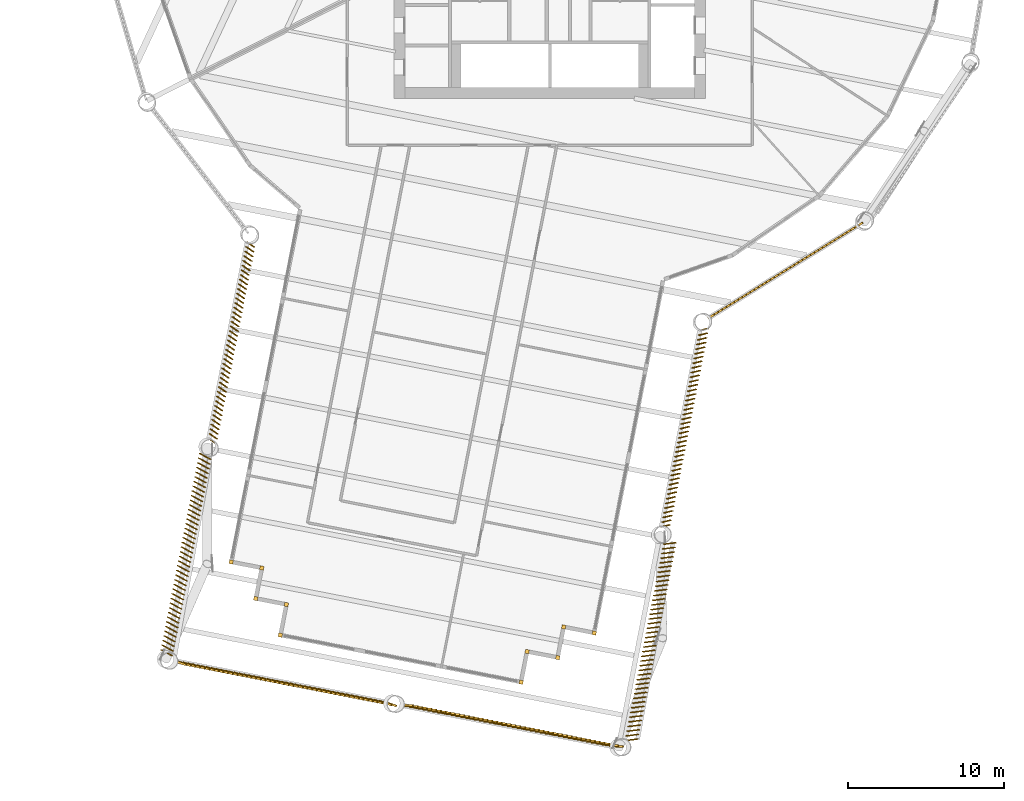
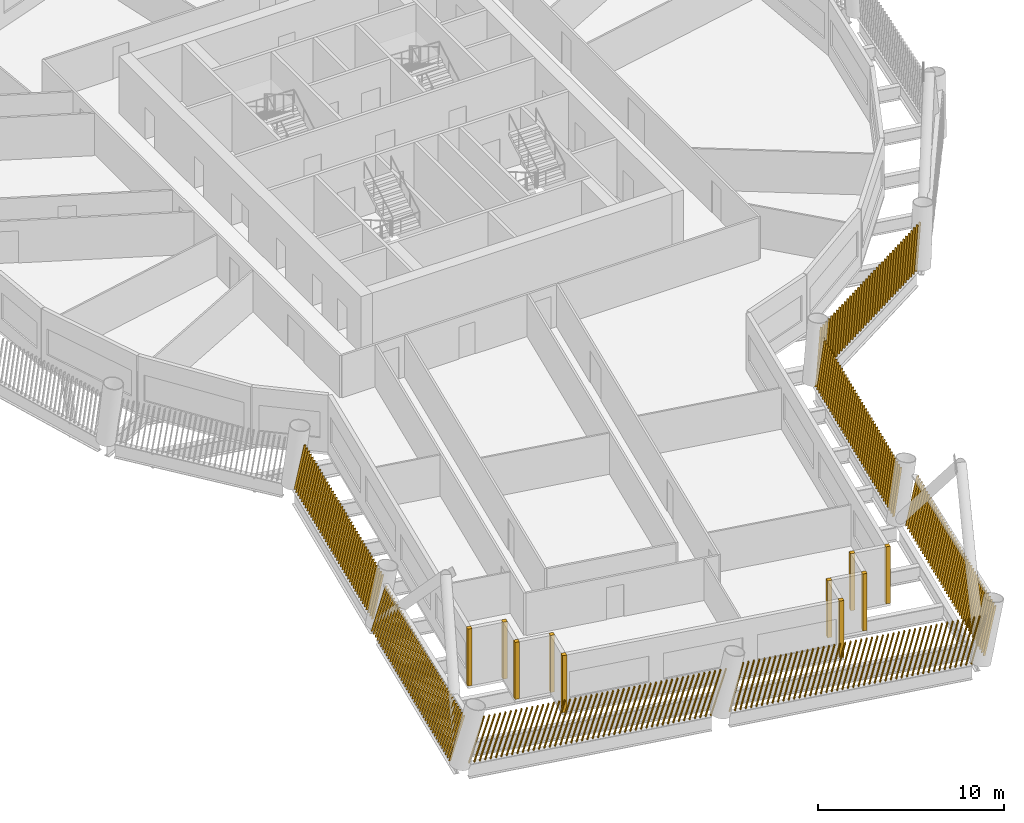
# One storey, part 20 of 24: 17 shading devices.
"""IFC4 building model written with IfcOpenShell, lengths in metres."""

from ifc_helpers import new_model, si_unit, direction, frame, frame_2d, origin, origin_2d, place, context, subcontext, project, spatial, rectangle, composite_profile, extrude, material, type_object, element, save


model = new_model("IFC4")

# Units and contexts
model_context = context("Model", 3, precision=1e-05, world=origin(), true_north=direction((0.0, 1.0)))
body_context = subcontext(model_context, "Body", "Model", "MODEL_VIEW")
ifc_project = project(units=[si_unit("LENGTHUNIT", "METRE"), si_unit("AREAUNIT", "SQUARE_METRE"), si_unit("VOLUMEUNIT", "CUBIC_METRE"), si_unit("PLANEANGLEUNIT", "RADIAN"), si_unit("MASSUNIT", "GRAM", prefix="KILO")], contexts=[model_context])

# Site, building, storey
site_placement = place(None, origin())
site = spatial("IfcSite", under=ifc_project, at=site_placement, CompositionType="ELEMENT")
building_placement = place(site_placement, origin())
building = spatial("IfcBuilding", under=site, at=building_placement, Name="Tarsis Ring Headquarters", CompositionType="ELEMENT")
storey_placement = place(building_placement, frame((0.0, 0.0, 178.800048828125)))
storey = spatial("IfcBuildingStorey", under=building, at=storey_placement, Name="L41", CompositionType="ELEMENT", Elevation=178.800048828125)

# Shading devices
ifc_material = material(Name="Terracotta baguette", Category="masonry")
shading_device_type_1 = type_object("IfcShadingDeviceType", Name="Terracotta baguette screen", PredefinedType="USERDEFINED", material=ifc_material)
shading_device_1_placement = place(storey_placement, frame((-19.416015625, -22.182861328125, 0.0), z_axis=(0.0, 0.0, 1.0), x_axis=(-0.191833181956, -0.981418407508, 0.0)))
element("IfcShadingDevice", 1, at=shading_device_1_placement, inside=storey, type_object=shading_device_type_1, Name="Baguette screen L41-01", ObjectType="Terracotta baguette screen", PredefinedType="USERDEFINED", context=body_context, shape_type="SweptSolid", body=[
    extrude(composite_profile([rectangle(XDim=0.06005859375, YDim=0.1201171875, at=frame_2d((0.030029296875, 0.0))), rectangle(XDim=0.06005859375, YDim=0.1201171875, at=frame_2d((0.335693359375, 0.0))), rectangle(XDim=0.06005859375, YDim=0.1201171875, at=frame_2d((0.6416015625, 0.0))), rectangle(XDim=0.06005859375, YDim=0.1201171875, at=frame_2d((0.947265625, 0.0))), rectangle(XDim=0.06005859375, YDim=0.1201171875, at=frame_2d((1.253173828125, 0.0))), rectangle(XDim=0.06005859375, YDim=0.1201171875, at=frame_2d((1.558837890625, 0.0))), rectangle(XDim=0.06005859375, YDim=0.1201171875, at=frame_2d((1.864501953125, 0.0))), rectangle(XDim=0.06005859375, YDim=0.1201171875, at=frame_2d((2.17041015625, 0.0))), rectangle(XDim=0.06005859375, YDim=0.1201171875, at=frame_2d((2.47607421875, 0.0))), rectangle(XDim=0.06005859375, YDim=0.1201171875, at=frame_2d((2.781982421875, 0.0))), rectangle(XDim=0.06005859375, YDim=0.1201171875, at=frame_2d((3.087646484375, 0.0))), rectangle(XDim=0.06005859375, YDim=0.1201171875, at=frame_2d((3.393310546875, 0.0))), rectangle(XDim=0.06005859375, YDim=0.1201171875, at=frame_2d((3.69921875, 0.0))), rectangle(XDim=0.06005859375, YDim=0.1201171875, at=frame_2d((4.0048828125, 0.0))), rectangle(XDim=0.06005859375, YDim=0.1201171875, at=frame_2d((4.310791015625, 0.0))), rectangle(XDim=0.06005859375, YDim=0.1201171875, at=frame_2d((4.616455078125, 0.0))), rectangle(XDim=0.06005859375, YDim=0.1201171875, at=frame_2d((4.922119140625, 0.0))), rectangle(XDim=0.06005859375, YDim=0.1201171875, at=frame_2d((5.22802734375, 0.0))), rectangle(XDim=0.06005859375, YDim=0.1201171875, at=frame_2d((5.53369140625, 0.0))), rectangle(XDim=0.06005859375, YDim=0.1201171875, at=frame_2d((5.839599609375, 0.0))), rectangle(XDim=0.06005859375, YDim=0.1201171875, at=frame_2d((6.145263671875, 0.0))), rectangle(XDim=0.06005859375, YDim=0.1201171875, at=frame_2d((6.451171875, 0.0))), rectangle(XDim=0.06005859375, YDim=0.1201171875, at=frame_2d((6.7568359375, 0.0))), rectangle(XDim=0.06005859375, YDim=0.1201171875, at=frame_2d((7.0625, 0.0))), rectangle(XDim=0.06005859375, YDim=0.1201171875, at=frame_2d((7.368408203125, 0.0))), rectangle(XDim=0.06005859375, YDim=0.1201171875, at=frame_2d((7.674072265625, 0.0))), rectangle(XDim=0.06005859375, YDim=0.1201171875, at=frame_2d((7.97998046875, 0.0))), rectangle(XDim=0.06005859375, YDim=0.1201171875, at=frame_2d((8.28564453125, 0.0))), rectangle(XDim=0.06005859375, YDim=0.1201171875, at=frame_2d((8.59130859375, 0.0))), rectangle(XDim=0.06005859375, YDim=0.1201171875, at=frame_2d((8.897216796875, 0.0))), rectangle(XDim=0.06005859375, YDim=0.1201171875, at=frame_2d((9.202880859375, 0.0))), rectangle(XDim=0.06005859375, YDim=0.1201171875, at=frame_2d((9.5087890625, 0.0))), rectangle(XDim=0.06005859375, YDim=0.1201171875, at=frame_2d((9.814453125, 0.0))), rectangle(XDim=0.06005859375, YDim=0.1201171875, at=frame_2d((10.1201171875, 0.0))), rectangle(XDim=0.06005859375, YDim=0.1201171875, at=frame_2d((10.426025390625, 0.0))), rectangle(XDim=0.06005859375, YDim=0.1201171875, at=frame_2d((10.731689453125, 0.0))), rectangle(XDim=0.06005859375, YDim=0.1201171875, at=frame_2d((11.03759765625, 0.0))), rectangle(XDim=0.06005859375, YDim=0.1201171875, at=frame_2d((11.34326171875, 0.0))), rectangle(XDim=0.06005859375, YDim=0.1201171875, at=frame_2d((11.64892578125, 0.0))), rectangle(XDim=0.06005859375, YDim=0.1201171875, at=frame_2d((11.954833984375, 0.0))), rectangle(XDim=0.06005859375, YDim=0.1201171875, at=frame_2d((12.260498046875, 0.0))), rectangle(XDim=0.06005859375, YDim=0.1201171875, at=frame_2d((12.56640625, 0.0))), rectangle(XDim=0.06005859375, YDim=0.1201171875, at=frame_2d((12.8720703125, 0.0)))]), origin(), (0.076141289254, 0.167797101649, 0.982876714929), 3.00146484375),
])
shading_device_2_placement = place(storey_placement, frame((-22.451171875, -35.7548828125, 0.0), z_axis=(0.0, 0.0, 1.0), x_axis=(-0.191833181956, -0.981418407508, 0.0)))
element("IfcShadingDevice", 2, at=shading_device_2_placement, inside=storey, type_object=shading_device_type_1, Name="Baguette screen L41-02", ObjectType="Terracotta baguette screen", PredefinedType="USERDEFINED", context=body_context, shape_type="SweptSolid", body=[
    extrude(composite_profile([rectangle(XDim=0.06005859375, YDim=0.1201171875, at=frame_2d((0.030029296875, 0.0))), rectangle(XDim=0.06005859375, YDim=0.1201171875, at=frame_2d((0.335693359375, 0.0))), rectangle(XDim=0.06005859375, YDim=0.1201171875, at=frame_2d((0.6416015625, 0.0))), rectangle(XDim=0.06005859375, YDim=0.1201171875, at=frame_2d((0.947265625, 0.0))), rectangle(XDim=0.06005859375, YDim=0.1201171875, at=frame_2d((1.253173828125, 0.0))), rectangle(XDim=0.06005859375, YDim=0.1201171875, at=frame_2d((1.558837890625, 0.0))), rectangle(XDim=0.06005859375, YDim=0.1201171875, at=frame_2d((1.864501953125, 0.0))), rectangle(XDim=0.06005859375, YDim=0.1201171875, at=frame_2d((2.17041015625, 0.0))), rectangle(XDim=0.06005859375, YDim=0.1201171875, at=frame_2d((2.47607421875, 0.0))), rectangle(XDim=0.06005859375, YDim=0.1201171875, at=frame_2d((2.781982421875, 0.0))), rectangle(XDim=0.06005859375, YDim=0.1201171875, at=frame_2d((3.087646484375, 0.0))), rectangle(XDim=0.06005859375, YDim=0.1201171875, at=frame_2d((3.393310546875, 0.0))), rectangle(XDim=0.06005859375, YDim=0.1201171875, at=frame_2d((3.69921875, 0.0))), rectangle(XDim=0.06005859375, YDim=0.1201171875, at=frame_2d((4.0048828125, 0.0))), rectangle(XDim=0.06005859375, YDim=0.1201171875, at=frame_2d((4.310791015625, 0.0))), rectangle(XDim=0.06005859375, YDim=0.1201171875, at=frame_2d((4.616455078125, 0.0))), rectangle(XDim=0.06005859375, YDim=0.1201171875, at=frame_2d((4.922119140625, 0.0))), rectangle(XDim=0.06005859375, YDim=0.1201171875, at=frame_2d((5.22802734375, 0.0))), rectangle(XDim=0.06005859375, YDim=0.1201171875, at=frame_2d((5.53369140625, 0.0))), rectangle(XDim=0.06005859375, YDim=0.1201171875, at=frame_2d((5.839599609375, 0.0))), rectangle(XDim=0.06005859375, YDim=0.1201171875, at=frame_2d((6.145263671875, 0.0))), rectangle(XDim=0.06005859375, YDim=0.1201171875, at=frame_2d((6.451171875, 0.0))), rectangle(XDim=0.06005859375, YDim=0.1201171875, at=frame_2d((6.7568359375, 0.0))), rectangle(XDim=0.06005859375, YDim=0.1201171875, at=frame_2d((7.0625, 0.0))), rectangle(XDim=0.06005859375, YDim=0.1201171875, at=frame_2d((7.368408203125, 0.0))), rectangle(XDim=0.06005859375, YDim=0.1201171875, at=frame_2d((7.674072265625, 0.0))), rectangle(XDim=0.06005859375, YDim=0.1201171875, at=frame_2d((7.97998046875, 0.0))), rectangle(XDim=0.06005859375, YDim=0.1201171875, at=frame_2d((8.28564453125, 0.0))), rectangle(XDim=0.06005859375, YDim=0.1201171875, at=frame_2d((8.59130859375, 0.0))), rectangle(XDim=0.06005859375, YDim=0.1201171875, at=frame_2d((8.897216796875, 0.0))), rectangle(XDim=0.06005859375, YDim=0.1201171875, at=frame_2d((9.202880859375, 0.0))), rectangle(XDim=0.06005859375, YDim=0.1201171875, at=frame_2d((9.5087890625, 0.0))), rectangle(XDim=0.06005859375, YDim=0.1201171875, at=frame_2d((9.814453125, 0.0))), rectangle(XDim=0.06005859375, YDim=0.1201171875, at=frame_2d((10.1201171875, 0.0))), rectangle(XDim=0.06005859375, YDim=0.1201171875, at=frame_2d((10.426025390625, 0.0))), rectangle(XDim=0.06005859375, YDim=0.1201171875, at=frame_2d((10.731689453125, 0.0))), rectangle(XDim=0.06005859375, YDim=0.1201171875, at=frame_2d((11.03759765625, 0.0))), rectangle(XDim=0.06005859375, YDim=0.1201171875, at=frame_2d((11.34326171875, 0.0))), rectangle(XDim=0.06005859375, YDim=0.1201171875, at=frame_2d((11.64892578125, 0.0))), rectangle(XDim=0.06005859375, YDim=0.1201171875, at=frame_2d((11.954833984375, 0.0))), rectangle(XDim=0.06005859375, YDim=0.1201171875, at=frame_2d((12.260498046875, 0.0))), rectangle(XDim=0.06005859375, YDim=0.1201171875, at=frame_2d((12.56640625, 0.0))), rectangle(XDim=0.06005859375, YDim=0.1201171875, at=frame_2d((12.8720703125, 0.0)))]), origin(), (0.076397492636, 0.237046970351, 0.968489626669), 3.0458984375),
])
shading_device_3_placement = place(storey_placement, frame((-24.163330078125, -49.076171875, 0.0), z_axis=(0.0, 0.0, 1.0), x_axis=(0.981424148607, -0.191826625387, 0.0)))
element("IfcShadingDevice", 3, at=shading_device_3_placement, inside=storey, type_object=shading_device_type_1, Name="Baguette screen L41-03", ObjectType="Terracotta baguette screen", PredefinedType="USERDEFINED", context=body_context, shape_type="SweptSolid", body=[
    extrude(composite_profile([rectangle(XDim=0.06005859375, YDim=0.1201171875, at=frame_2d((0.030029296875, 0.0))), rectangle(XDim=0.06005859375, YDim=0.1201171875, at=frame_2d((0.33544921875, 0.0))), rectangle(XDim=0.06005859375, YDim=0.1201171875, at=frame_2d((0.640625, 0.0))), rectangle(XDim=0.06005859375, YDim=0.1201171875, at=frame_2d((0.946044921875, 0.0))), rectangle(XDim=0.06005859375, YDim=0.1201171875, at=frame_2d((1.25146484375, 0.0))), rectangle(XDim=0.06005859375, YDim=0.1201171875, at=frame_2d((1.556640625, 0.0))), rectangle(XDim=0.06005859375, YDim=0.1201171875, at=frame_2d((1.862060546875, 0.0))), rectangle(XDim=0.06005859375, YDim=0.1201171875, at=frame_2d((2.16748046875, 0.0))), rectangle(XDim=0.06005859375, YDim=0.1201171875, at=frame_2d((2.47265625, 0.0))), rectangle(XDim=0.06005859375, YDim=0.1201171875, at=frame_2d((2.778076171875, 0.0))), rectangle(XDim=0.06005859375, YDim=0.1201171875, at=frame_2d((3.08349609375, 0.0))), rectangle(XDim=0.06005859375, YDim=0.1201171875, at=frame_2d((3.388671875, 0.0))), rectangle(XDim=0.06005859375, YDim=0.1201171875, at=frame_2d((3.694091796875, 0.0))), rectangle(XDim=0.06005859375, YDim=0.1201171875, at=frame_2d((3.99951171875, 0.0))), rectangle(XDim=0.06005859375, YDim=0.1201171875, at=frame_2d((4.3046875, 0.0))), rectangle(XDim=0.06005859375, YDim=0.1201171875, at=frame_2d((4.610107421875, 0.0))), rectangle(XDim=0.06005859375, YDim=0.1201171875, at=frame_2d((4.91552734375, 0.0))), rectangle(XDim=0.06005859375, YDim=0.1201171875, at=frame_2d((5.220703125, 0.0))), rectangle(XDim=0.06005859375, YDim=0.1201171875, at=frame_2d((5.526123046875, 0.0))), rectangle(XDim=0.06005859375, YDim=0.1201171875, at=frame_2d((5.83154296875, 0.0))), rectangle(XDim=0.06005859375, YDim=0.1201171875, at=frame_2d((6.13671875, 0.0))), rectangle(XDim=0.06005859375, YDim=0.1201171875, at=frame_2d((6.442138671875, 0.0))), rectangle(XDim=0.06005859375, YDim=0.1201171875, at=frame_2d((6.74755859375, 0.0))), rectangle(XDim=0.06005859375, YDim=0.1201171875, at=frame_2d((7.052734375, 0.0))), rectangle(XDim=0.06005859375, YDim=0.1201171875, at=frame_2d((7.358154296875, 0.0))), rectangle(XDim=0.06005859375, YDim=0.1201171875, at=frame_2d((7.66357421875, 0.0))), rectangle(XDim=0.06005859375, YDim=0.1201171875, at=frame_2d((7.96875, 0.0))), rectangle(XDim=0.06005859375, YDim=0.1201171875, at=frame_2d((8.274169921875, 0.0))), rectangle(XDim=0.06005859375, YDim=0.1201171875, at=frame_2d((8.57958984375, 0.0))), rectangle(XDim=0.06005859375, YDim=0.1201171875, at=frame_2d((8.884765625, 0.0))), rectangle(XDim=0.06005859375, YDim=0.1201171875, at=frame_2d((9.190185546875, 0.0))), rectangle(XDim=0.06005859375, YDim=0.1201171875, at=frame_2d((9.49560546875, 0.0))), rectangle(XDim=0.06005859375, YDim=0.1201171875, at=frame_2d((9.80078125, 0.0))), rectangle(XDim=0.06005859375, YDim=0.1201171875, at=frame_2d((10.106201171875, 0.0))), rectangle(XDim=0.06005859375, YDim=0.1201171875, at=frame_2d((10.41162109375, 0.0))), rectangle(XDim=0.06005859375, YDim=0.1201171875, at=frame_2d((10.716796875, 0.0))), rectangle(XDim=0.06005859375, YDim=0.1201171875, at=frame_2d((11.022216796875, 0.0))), rectangle(XDim=0.06005859375, YDim=0.1201171875, at=frame_2d((11.32763671875, 0.0))), rectangle(XDim=0.06005859375, YDim=0.1201171875, at=frame_2d((11.6328125, 0.0))), rectangle(XDim=0.06005859375, YDim=0.1201171875, at=frame_2d((11.938232421875, 0.0))), rectangle(XDim=0.06005859375, YDim=0.1201171875, at=frame_2d((12.24365234375, 0.0))), rectangle(XDim=0.06005859375, YDim=0.1201171875, at=frame_2d((12.548828125, 0.0))), rectangle(XDim=0.06005859375, YDim=0.1201171875, at=frame_2d((12.854248046875, 0.0))), rectangle(XDim=0.06005859375, YDim=0.1201171875, at=frame_2d((13.15966796875, 0.0))), rectangle(XDim=0.06005859375, YDim=0.1201171875, at=frame_2d((13.46484375, 0.0))), rectangle(XDim=0.06005859375, YDim=0.1201171875, at=frame_2d((13.770263671875, 0.0)))]), origin(), (0.270747870256, -0.035782456405, 0.961985034481), 3.06640625),
])
shading_device_4_placement = place(storey_placement, frame((-9.63818359375, -51.915283203125, 0.0), z_axis=(0.0, 0.0, 1.0), x_axis=(0.981424148607, -0.191826625387, 0.0)))
element("IfcShadingDevice", 4, at=shading_device_4_placement, inside=storey, type_object=shading_device_type_1, Name="Baguette screen L41-04", ObjectType="Terracotta baguette screen", PredefinedType="USERDEFINED", context=body_context, shape_type="SweptSolid", body=[
    extrude(composite_profile([rectangle(XDim=0.06005859375, YDim=0.1201171875, at=frame_2d((0.030029296875, 0.0))), rectangle(XDim=0.06005859375, YDim=0.1201171875, at=frame_2d((0.33544921875, 0.0))), rectangle(XDim=0.06005859375, YDim=0.1201171875, at=frame_2d((0.640625, 0.0))), rectangle(XDim=0.06005859375, YDim=0.1201171875, at=frame_2d((0.946044921875, 0.0))), rectangle(XDim=0.06005859375, YDim=0.1201171875, at=frame_2d((1.25146484375, 0.0))), rectangle(XDim=0.06005859375, YDim=0.1201171875, at=frame_2d((1.556640625, 0.0))), rectangle(XDim=0.06005859375, YDim=0.1201171875, at=frame_2d((1.862060546875, 0.0))), rectangle(XDim=0.06005859375, YDim=0.1201171875, at=frame_2d((2.16748046875, 0.0))), rectangle(XDim=0.06005859375, YDim=0.1201171875, at=frame_2d((2.47265625, 0.0))), rectangle(XDim=0.06005859375, YDim=0.1201171875, at=frame_2d((2.778076171875, 0.0))), rectangle(XDim=0.06005859375, YDim=0.1201171875, at=frame_2d((3.08349609375, 0.0))), rectangle(XDim=0.06005859375, YDim=0.1201171875, at=frame_2d((3.388671875, 0.0))), rectangle(XDim=0.06005859375, YDim=0.1201171875, at=frame_2d((3.694091796875, 0.0))), rectangle(XDim=0.06005859375, YDim=0.1201171875, at=frame_2d((3.99951171875, 0.0))), rectangle(XDim=0.06005859375, YDim=0.1201171875, at=frame_2d((4.3046875, 0.0))), rectangle(XDim=0.06005859375, YDim=0.1201171875, at=frame_2d((4.610107421875, 0.0))), rectangle(XDim=0.06005859375, YDim=0.1201171875, at=frame_2d((4.91552734375, 0.0))), rectangle(XDim=0.06005859375, YDim=0.1201171875, at=frame_2d((5.220703125, 0.0))), rectangle(XDim=0.06005859375, YDim=0.1201171875, at=frame_2d((5.526123046875, 0.0))), rectangle(XDim=0.06005859375, YDim=0.1201171875, at=frame_2d((5.83154296875, 0.0))), rectangle(XDim=0.06005859375, YDim=0.1201171875, at=frame_2d((6.13671875, 0.0))), rectangle(XDim=0.06005859375, YDim=0.1201171875, at=frame_2d((6.442138671875, 0.0))), rectangle(XDim=0.06005859375, YDim=0.1201171875, at=frame_2d((6.74755859375, 0.0))), rectangle(XDim=0.06005859375, YDim=0.1201171875, at=frame_2d((7.052734375, 0.0))), rectangle(XDim=0.06005859375, YDim=0.1201171875, at=frame_2d((7.358154296875, 0.0))), rectangle(XDim=0.06005859375, YDim=0.1201171875, at=frame_2d((7.66357421875, 0.0))), rectangle(XDim=0.06005859375, YDim=0.1201171875, at=frame_2d((7.96875, 0.0))), rectangle(XDim=0.06005859375, YDim=0.1201171875, at=frame_2d((8.274169921875, 0.0))), rectangle(XDim=0.06005859375, YDim=0.1201171875, at=frame_2d((8.57958984375, 0.0))), rectangle(XDim=0.06005859375, YDim=0.1201171875, at=frame_2d((8.884765625, 0.0))), rectangle(XDim=0.06005859375, YDim=0.1201171875, at=frame_2d((9.190185546875, 0.0))), rectangle(XDim=0.06005859375, YDim=0.1201171875, at=frame_2d((9.49560546875, 0.0))), rectangle(XDim=0.06005859375, YDim=0.1201171875, at=frame_2d((9.80078125, 0.0))), rectangle(XDim=0.06005859375, YDim=0.1201171875, at=frame_2d((10.106201171875, 0.0))), rectangle(XDim=0.06005859375, YDim=0.1201171875, at=frame_2d((10.41162109375, 0.0))), rectangle(XDim=0.06005859375, YDim=0.1201171875, at=frame_2d((10.716796875, 0.0))), rectangle(XDim=0.06005859375, YDim=0.1201171875, at=frame_2d((11.022216796875, 0.0))), rectangle(XDim=0.06005859375, YDim=0.1201171875, at=frame_2d((11.32763671875, 0.0))), rectangle(XDim=0.06005859375, YDim=0.1201171875, at=frame_2d((11.6328125, 0.0))), rectangle(XDim=0.06005859375, YDim=0.1201171875, at=frame_2d((11.938232421875, 0.0))), rectangle(XDim=0.06005859375, YDim=0.1201171875, at=frame_2d((12.24365234375, 0.0))), rectangle(XDim=0.06005859375, YDim=0.1201171875, at=frame_2d((12.548828125, 0.0))), rectangle(XDim=0.06005859375, YDim=0.1201171875, at=frame_2d((12.854248046875, 0.0))), rectangle(XDim=0.06005859375, YDim=0.1201171875, at=frame_2d((13.15966796875, 0.0))), rectangle(XDim=0.06005859375, YDim=0.1201171875, at=frame_2d((13.46484375, 0.0))), rectangle(XDim=0.06005859375, YDim=0.1201171875, at=frame_2d((13.770263671875, 0.0)))]), origin(), (0.270153161073, 0.040025614954, 0.961985041313), 3.06640625),
])
shading_device_5_placement = place(storey_placement, frame((4.860107421875, -54.23974609375, 0.0), z_axis=(0.0, 0.0, 1.0), x_axis=(0.191833181956, 0.981418407508, 0.0)))
element("IfcShadingDevice", 5, at=shading_device_5_placement, inside=storey, type_object=shading_device_type_1, Name="Baguette screen L41-05", ObjectType="Terracotta baguette screen", PredefinedType="USERDEFINED", context=body_context, shape_type="SweptSolid", body=[
    extrude(composite_profile([rectangle(XDim=0.06005859375, YDim=0.1201171875, at=frame_2d((0.030029296875, 0.0))), rectangle(XDim=0.06005859375, YDim=0.1201171875, at=frame_2d((0.335693359375, 0.0))), rectangle(XDim=0.06005859375, YDim=0.1201171875, at=frame_2d((0.6416015625, 0.0))), rectangle(XDim=0.06005859375, YDim=0.1201171875, at=frame_2d((0.947265625, 0.0))), rectangle(XDim=0.06005859375, YDim=0.1201171875, at=frame_2d((1.253173828125, 0.0))), rectangle(XDim=0.06005859375, YDim=0.1201171875, at=frame_2d((1.558837890625, 0.0))), rectangle(XDim=0.06005859375, YDim=0.1201171875, at=frame_2d((1.864501953125, 0.0))), rectangle(XDim=0.06005859375, YDim=0.1201171875, at=frame_2d((2.17041015625, 0.0))), rectangle(XDim=0.06005859375, YDim=0.1201171875, at=frame_2d((2.47607421875, 0.0))), rectangle(XDim=0.06005859375, YDim=0.1201171875, at=frame_2d((2.781982421875, 0.0))), rectangle(XDim=0.06005859375, YDim=0.1201171875, at=frame_2d((3.087646484375, 0.0))), rectangle(XDim=0.06005859375, YDim=0.1201171875, at=frame_2d((3.393310546875, 0.0))), rectangle(XDim=0.06005859375, YDim=0.1201171875, at=frame_2d((3.69921875, 0.0))), rectangle(XDim=0.06005859375, YDim=0.1201171875, at=frame_2d((4.0048828125, 0.0))), rectangle(XDim=0.06005859375, YDim=0.1201171875, at=frame_2d((4.310791015625, 0.0))), rectangle(XDim=0.06005859375, YDim=0.1201171875, at=frame_2d((4.616455078125, 0.0))), rectangle(XDim=0.06005859375, YDim=0.1201171875, at=frame_2d((4.922119140625, 0.0))), rectangle(XDim=0.06005859375, YDim=0.1201171875, at=frame_2d((5.22802734375, 0.0))), rectangle(XDim=0.06005859375, YDim=0.1201171875, at=frame_2d((5.53369140625, 0.0))), rectangle(XDim=0.06005859375, YDim=0.1201171875, at=frame_2d((5.839599609375, 0.0))), rectangle(XDim=0.06005859375, YDim=0.1201171875, at=frame_2d((6.145263671875, 0.0))), rectangle(XDim=0.06005859375, YDim=0.1201171875, at=frame_2d((6.451171875, 0.0))), rectangle(XDim=0.06005859375, YDim=0.1201171875, at=frame_2d((6.7568359375, 0.0))), rectangle(XDim=0.06005859375, YDim=0.1201171875, at=frame_2d((7.0625, 0.0))), rectangle(XDim=0.06005859375, YDim=0.1201171875, at=frame_2d((7.368408203125, 0.0))), rectangle(XDim=0.06005859375, YDim=0.1201171875, at=frame_2d((7.674072265625, 0.0))), rectangle(XDim=0.06005859375, YDim=0.1201171875, at=frame_2d((7.97998046875, 0.0))), rectangle(XDim=0.06005859375, YDim=0.1201171875, at=frame_2d((8.28564453125, 0.0))), rectangle(XDim=0.06005859375, YDim=0.1201171875, at=frame_2d((8.59130859375, 0.0))), rectangle(XDim=0.06005859375, YDim=0.1201171875, at=frame_2d((8.897216796875, 0.0))), rectangle(XDim=0.06005859375, YDim=0.1201171875, at=frame_2d((9.202880859375, 0.0))), rectangle(XDim=0.06005859375, YDim=0.1201171875, at=frame_2d((9.5087890625, 0.0))), rectangle(XDim=0.06005859375, YDim=0.1201171875, at=frame_2d((9.814453125, 0.0))), rectangle(XDim=0.06005859375, YDim=0.1201171875, at=frame_2d((10.1201171875, 0.0))), rectangle(XDim=0.06005859375, YDim=0.1201171875, at=frame_2d((10.426025390625, 0.0))), rectangle(XDim=0.06005859375, YDim=0.1201171875, at=frame_2d((10.731689453125, 0.0))), rectangle(XDim=0.06005859375, YDim=0.1201171875, at=frame_2d((11.03759765625, 0.0))), rectangle(XDim=0.06005859375, YDim=0.1201171875, at=frame_2d((11.34326171875, 0.0))), rectangle(XDim=0.06005859375, YDim=0.1201171875, at=frame_2d((11.64892578125, 0.0))), rectangle(XDim=0.06005859375, YDim=0.1201171875, at=frame_2d((11.954833984375, 0.0))), rectangle(XDim=0.06005859375, YDim=0.1201171875, at=frame_2d((12.260498046875, 0.0))), rectangle(XDim=0.06005859375, YDim=0.1201171875, at=frame_2d((12.56640625, 0.0))), rectangle(XDim=0.06005859375, YDim=0.1201171875, at=frame_2d((12.8720703125, 0.0)))]), origin(), (0.08011057974, -0.235817981356, 0.968489635816), 3.0458984375),
])
shading_device_6_placement = place(storey_placement, frame((7.158935546875, -40.523681640625, 0.0), z_axis=(0.0, 0.0, 1.0), x_axis=(0.191833181956, 0.981418407508, 0.0)))
element("IfcShadingDevice", 6, at=shading_device_6_placement, inside=storey, type_object=shading_device_type_1, Name="Baguette screen L41-06", ObjectType="Terracotta baguette screen", PredefinedType="USERDEFINED", context=body_context, shape_type="SweptSolid", body=[
    extrude(composite_profile([rectangle(XDim=0.06005859375, YDim=0.1201171875, at=frame_2d((0.030029296875, 0.0))), rectangle(XDim=0.06005859375, YDim=0.1201171875, at=frame_2d((0.335693359375, 0.0))), rectangle(XDim=0.06005859375, YDim=0.1201171875, at=frame_2d((0.6416015625, 0.0))), rectangle(XDim=0.06005859375, YDim=0.1201171875, at=frame_2d((0.947265625, 0.0))), rectangle(XDim=0.06005859375, YDim=0.1201171875, at=frame_2d((1.253173828125, 0.0))), rectangle(XDim=0.06005859375, YDim=0.1201171875, at=frame_2d((1.558837890625, 0.0))), rectangle(XDim=0.06005859375, YDim=0.1201171875, at=frame_2d((1.864501953125, 0.0))), rectangle(XDim=0.06005859375, YDim=0.1201171875, at=frame_2d((2.17041015625, 0.0))), rectangle(XDim=0.06005859375, YDim=0.1201171875, at=frame_2d((2.47607421875, 0.0))), rectangle(XDim=0.06005859375, YDim=0.1201171875, at=frame_2d((2.781982421875, 0.0))), rectangle(XDim=0.06005859375, YDim=0.1201171875, at=frame_2d((3.087646484375, 0.0))), rectangle(XDim=0.06005859375, YDim=0.1201171875, at=frame_2d((3.393310546875, 0.0))), rectangle(XDim=0.06005859375, YDim=0.1201171875, at=frame_2d((3.69921875, 0.0))), rectangle(XDim=0.06005859375, YDim=0.1201171875, at=frame_2d((4.0048828125, 0.0))), rectangle(XDim=0.06005859375, YDim=0.1201171875, at=frame_2d((4.310791015625, 0.0))), rectangle(XDim=0.06005859375, YDim=0.1201171875, at=frame_2d((4.616455078125, 0.0))), rectangle(XDim=0.06005859375, YDim=0.1201171875, at=frame_2d((4.922119140625, 0.0))), rectangle(XDim=0.06005859375, YDim=0.1201171875, at=frame_2d((5.22802734375, 0.0))), rectangle(XDim=0.06005859375, YDim=0.1201171875, at=frame_2d((5.53369140625, 0.0))), rectangle(XDim=0.06005859375, YDim=0.1201171875, at=frame_2d((5.839599609375, 0.0))), rectangle(XDim=0.06005859375, YDim=0.1201171875, at=frame_2d((6.145263671875, 0.0))), rectangle(XDim=0.06005859375, YDim=0.1201171875, at=frame_2d((6.451171875, 0.0))), rectangle(XDim=0.06005859375, YDim=0.1201171875, at=frame_2d((6.7568359375, 0.0))), rectangle(XDim=0.06005859375, YDim=0.1201171875, at=frame_2d((7.0625, 0.0))), rectangle(XDim=0.06005859375, YDim=0.1201171875, at=frame_2d((7.368408203125, 0.0))), rectangle(XDim=0.06005859375, YDim=0.1201171875, at=frame_2d((7.674072265625, 0.0))), rectangle(XDim=0.06005859375, YDim=0.1201171875, at=frame_2d((7.97998046875, 0.0))), rectangle(XDim=0.06005859375, YDim=0.1201171875, at=frame_2d((8.28564453125, 0.0))), rectangle(XDim=0.06005859375, YDim=0.1201171875, at=frame_2d((8.59130859375, 0.0))), rectangle(XDim=0.06005859375, YDim=0.1201171875, at=frame_2d((8.897216796875, 0.0))), rectangle(XDim=0.06005859375, YDim=0.1201171875, at=frame_2d((9.202880859375, 0.0))), rectangle(XDim=0.06005859375, YDim=0.1201171875, at=frame_2d((9.5087890625, 0.0))), rectangle(XDim=0.06005859375, YDim=0.1201171875, at=frame_2d((9.814453125, 0.0))), rectangle(XDim=0.06005859375, YDim=0.1201171875, at=frame_2d((10.1201171875, 0.0))), rectangle(XDim=0.06005859375, YDim=0.1201171875, at=frame_2d((10.426025390625, 0.0))), rectangle(XDim=0.06005859375, YDim=0.1201171875, at=frame_2d((10.731689453125, 0.0))), rectangle(XDim=0.06005859375, YDim=0.1201171875, at=frame_2d((11.03759765625, 0.0))), rectangle(XDim=0.06005859375, YDim=0.1201171875, at=frame_2d((11.34326171875, 0.0))), rectangle(XDim=0.06005859375, YDim=0.1201171875, at=frame_2d((11.64892578125, 0.0))), rectangle(XDim=0.06005859375, YDim=0.1201171875, at=frame_2d((11.954833984375, 0.0))), rectangle(XDim=0.06005859375, YDim=0.1201171875, at=frame_2d((12.260498046875, 0.0))), rectangle(XDim=0.06005859375, YDim=0.1201171875, at=frame_2d((12.56640625, 0.0))), rectangle(XDim=0.06005859375, YDim=0.1201171875, at=frame_2d((12.8720703125, 0.0)))]), origin(), (0.078766528151, -0.166580754541, 0.982876740115), 3.00146484375),
])
shading_device_7_placement = place(storey_placement, frame((10.1552734375, -27.107421875, 0.0), z_axis=(0.0, 0.0, 1.0), x_axis=(0.850439500814, 0.526077048291, 0.0)))
element("IfcShadingDevice", 7, at=shading_device_7_placement, inside=storey, type_object=shading_device_type_1, Name="Baguette screen L41-07", ObjectType="Terracotta baguette screen", PredefinedType="USERDEFINED", context=body_context, shape_type="SweptSolid", body=[
    extrude(composite_profile([rectangle(XDim=0.06005859375, YDim=0.1201171875, at=frame_2d((0.030029296875, 0.0))), rectangle(XDim=0.06005859375, YDim=0.1201171875, at=frame_2d((0.33251953125, 0.0))), rectangle(XDim=0.06005859375, YDim=0.1201171875, at=frame_2d((0.634765625, 0.0))), rectangle(XDim=0.06005859375, YDim=0.1201171875, at=frame_2d((0.937255859375, 0.0))), rectangle(XDim=0.06005859375, YDim=0.1201171875, at=frame_2d((1.239501953125, 0.0))), rectangle(XDim=0.06005859375, YDim=0.1201171875, at=frame_2d((1.5419921875, 0.0))), rectangle(XDim=0.06005859375, YDim=0.1201171875, at=frame_2d((1.844482421875, 0.0))), rectangle(XDim=0.06005859375, YDim=0.1201171875, at=frame_2d((2.146728515625, 0.0))), rectangle(XDim=0.06005859375, YDim=0.1201171875, at=frame_2d((2.44921875, 0.0))), rectangle(XDim=0.06005859375, YDim=0.1201171875, at=frame_2d((2.751708984375, 0.0))), rectangle(XDim=0.06005859375, YDim=0.1201171875, at=frame_2d((3.053955078125, 0.0))), rectangle(XDim=0.06005859375, YDim=0.1201171875, at=frame_2d((3.3564453125, 0.0))), rectangle(XDim=0.06005859375, YDim=0.1201171875, at=frame_2d((3.65869140625, 0.0))), rectangle(XDim=0.06005859375, YDim=0.1201171875, at=frame_2d((3.961181640625, 0.0))), rectangle(XDim=0.06005859375, YDim=0.1201171875, at=frame_2d((4.263671875, 0.0))), rectangle(XDim=0.06005859375, YDim=0.1201171875, at=frame_2d((4.56591796875, 0.0))), rectangle(XDim=0.06005859375, YDim=0.1201171875, at=frame_2d((4.868408203125, 0.0))), rectangle(XDim=0.06005859375, YDim=0.1201171875, at=frame_2d((5.1708984375, 0.0))), rectangle(XDim=0.06005859375, YDim=0.1201171875, at=frame_2d((5.47314453125, 0.0))), rectangle(XDim=0.06005859375, YDim=0.1201171875, at=frame_2d((5.775634765625, 0.0))), rectangle(XDim=0.06005859375, YDim=0.1201171875, at=frame_2d((6.077880859375, 0.0))), rectangle(XDim=0.06005859375, YDim=0.1201171875, at=frame_2d((6.38037109375, 0.0))), rectangle(XDim=0.06005859375, YDim=0.1201171875, at=frame_2d((6.682861328125, 0.0))), rectangle(XDim=0.06005859375, YDim=0.1201171875, at=frame_2d((6.985107421875, 0.0))), rectangle(XDim=0.06005859375, YDim=0.1201171875, at=frame_2d((7.28759765625, 0.0))), rectangle(XDim=0.06005859375, YDim=0.1201171875, at=frame_2d((7.590087890625, 0.0))), rectangle(XDim=0.06005859375, YDim=0.1201171875, at=frame_2d((7.892333984375, 0.0))), rectangle(XDim=0.06005859375, YDim=0.1201171875, at=frame_2d((8.19482421875, 0.0))), rectangle(XDim=0.06005859375, YDim=0.1201171875, at=frame_2d((8.4970703125, 0.0))), rectangle(XDim=0.06005859375, YDim=0.1201171875, at=frame_2d((8.799560546875, 0.0))), rectangle(XDim=0.06005859375, YDim=0.1201171875, at=frame_2d((9.10205078125, 0.0))), rectangle(XDim=0.06005859375, YDim=0.1201171875, at=frame_2d((9.404296875, 0.0))), rectangle(XDim=0.06005859375, YDim=0.1201171875, at=frame_2d((9.706787109375, 0.0))), rectangle(XDim=0.06005859375, YDim=0.1201171875, at=frame_2d((10.00927734375, 0.0))), rectangle(XDim=0.06005859375, YDim=0.1201171875, at=frame_2d((10.3115234375, 0.0))), rectangle(XDim=0.06005859375, YDim=0.1201171875, at=frame_2d((10.614013671875, 0.0))), rectangle(XDim=0.06005859375, YDim=0.1201171875, at=frame_2d((10.916259765625, 0.0))), rectangle(XDim=0.06005859375, YDim=0.1201171875, at=frame_2d((11.21875, 0.0)))]), origin(), (0.149496067761, 0.001175627541, 0.988761621233), 2.9833984375),
])
shading_device_type_2 = type_object("IfcShadingDeviceType", Name="Terracotta corner baguette 250x250", PredefinedType="USERDEFINED", material=ifc_material)
for number, where, z_axis, x_axis, name in (
    (8, (-20.455078125, -42.744873046875, 0.0), (0.0, 0.0, 1.0), (-0.19183683102, -0.981426833882, 0.0), "Corner baguette L41-07"),
    (9, (-18.4921875, -43.128662109375, 0.0), (0.0, 0.0, 1.0), (0.981426807097, -0.191836968053, 0.0), "Corner baguette L41-08"),
    (10, (-18.875732421875, -45.09130859375, 0.0), (0.0, 0.0, 1.0), (-0.191837053698, -0.981426790356, 0.0), "Corner baguette L41-09"),
    (11, (-16.912841796875, -45.47509765625, 0.0), (0.0, 0.0, 1.0), (0.981426790356, -0.191837053698, 0.0), "Corner baguette L41-10"),
    (12, (-17.296630859375, -47.43798828125, 0.0), (0.0, 0.0, 1.0), (-0.191836488437, -0.981426900846, 0.0), "Corner baguette L41-11"),
    (13, (-1.839111328125, -50.45947265625, 0.0), (0.0, 0.0, 1.0), (0.981426837231, -0.19183681389, 0.0), "Corner baguette L41-12"),
    (14, (-1.45556640625, -48.49658203125, 0.0), (0.0, 0.0, 1.0), (0.191837053698, 0.981426790356, 0.0), "Corner baguette L41-13"),
    (15, (0.50732421875, -48.880126953125, 0.0), (0.0, 0.0, 1.0), (0.981426900846, -0.191836488437, 0.0), "Corner baguette L41-14"),
    (16, (0.89111328125, -46.917236328125, 0.0), (0.0, 0.0, 1.0), (0.191836488437, 0.981426900846, 0.0), "Corner baguette L41-15"),
    (17, (2.85400390625, -47.301025390625, 0.0), (0.0, 0.0, 1.0), (0.981426807097, -0.191836968053, 0.0), "Corner baguette L41-16"),
):
    element("IfcShadingDevice", number, at=place(storey_placement, frame(where, z_axis=z_axis, x_axis=x_axis)), inside=storey, type_object=shading_device_type_2, Name=name, ObjectType="Terracotta corner baguette", PredefinedType="USERDEFINED", context=body_context, shape_type="SweptSolid", body=[
        extrude(rectangle(XDim=0.25, YDim=0.25, at=origin_2d()), origin(), (0.0, 0.0, 1.0), 3.739990234375),
    ])

save(model, "model.ifc")
